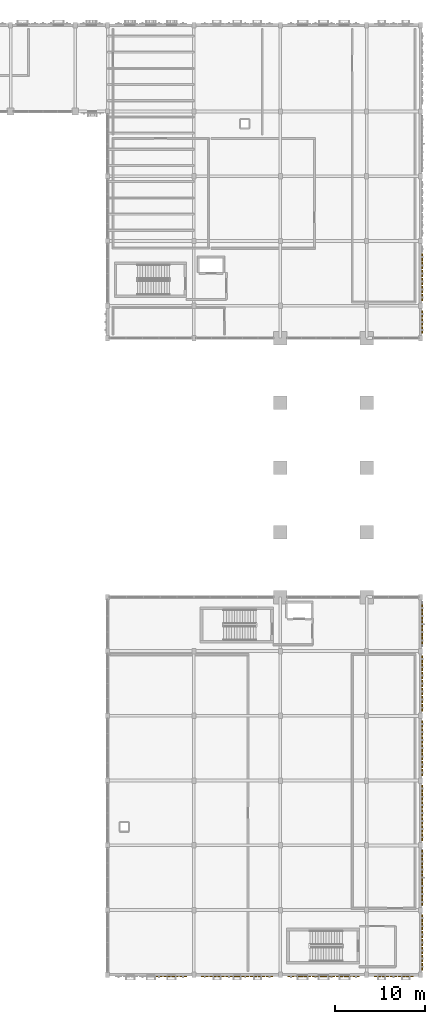
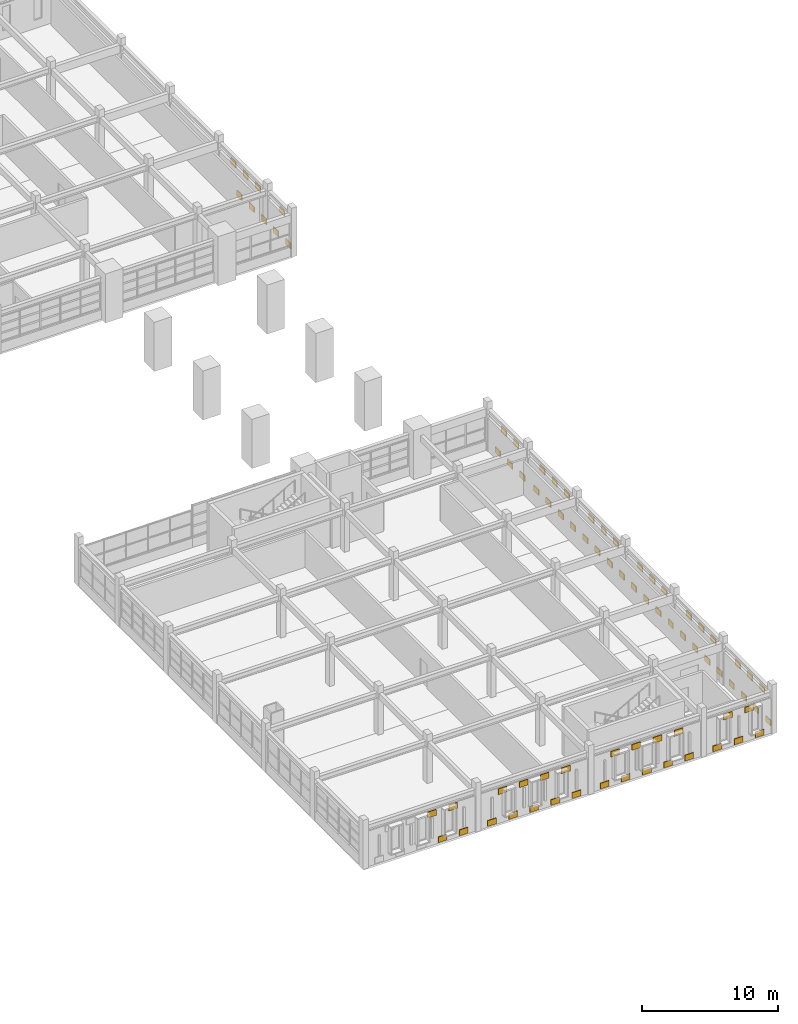
# One storey, part 68 of 69: 76 coverings.
"""IFC4 building model written with IfcOpenShell, lengths in metres."""

from ifc_helpers import new_model, si_unit, direction, frame, origin, origin_2d, place, context, subcontext, project, spatial, rectangle, extrude, material, layer, layer_set, type_object, element, save


model = new_model("IFC4")

# Units and contexts
model_context = context("Model", 3, precision=1e-05, world=origin(), true_north=direction((0.0, 1.0)))
body_context = subcontext(model_context, "Body", "Model", "MODEL_VIEW")
ifc_project = project(units=[si_unit("LENGTHUNIT", "METRE"), si_unit("AREAUNIT", "SQUARE_METRE"), si_unit("VOLUMEUNIT", "CUBIC_METRE"), si_unit("PLANEANGLEUNIT", "RADIAN"), si_unit("MASSUNIT", "GRAM", prefix="KILO")], contexts=[model_context])

# Site, building, storey
site_placement = place(None, origin())
site = spatial("IfcSite", under=ifc_project, at=site_placement, CompositionType="ELEMENT")
building_placement = place(site_placement, origin())
building = spatial("IfcBuilding", under=site, at=building_placement, Name="Nzembalo Square Collegiate School", CompositionType="ELEMENT")
storey_placement = place(building_placement, frame((0.0, 0.0, 5.10009765625)))
storey = spatial("IfcBuildingStorey", under=building, at=storey_placement, Name="L01", CompositionType="ELEMENT", Elevation=5.10009765625)

# Coverings
ifc_material = material(Name="Glazed cobalt ceramic patterned tile")
ifc_layer = layer(ifc_material, 0.074951171875, Name="Glazed cobalt ceramic patterned tile")
ifc_layer_set = layer_set([ifc_layer], Name="Glazed cobalt ceramic patterned tile")
covering_type = type_object("IfcCoveringType", Name="CL01", PredefinedType="CLADDING", material=ifc_layer_set)
for number, where, z_axis, x_axis, name in (
    (1, (165.777587890625, 9.300048828125, 0.099853515625), (0.0, 0.0, 1.0), (1.0, 0.0, 0.0), "Patterned ceramic tile CL01-Y0099-0-0"),
    (2, (165.777587890625, 10.199951171875, 2.48388671875), (0.0, 0.0, 1.0), (1.0, 0.0, 0.0), "Patterned ceramic tile CL01-Y0099-1-1"),
    (3, (165.777587890625, 11.10009765625, 0.099853515625), (0.0, 0.0, 1.0), (1.0, 0.0, 0.0), "Patterned ceramic tile CL01-Y0099-2-0"),
    (4, (165.777587890625, 12.0, 2.48388671875), (0.0, 0.0, 1.0), (1.0, 0.0, 0.0), "Patterned ceramic tile CL01-Y0099-3-1"),
    (5, (165.777587890625, 12.89990234375, 0.099853515625), (0.0, 0.0, 1.0), (1.0, 0.0, 0.0), "Patterned ceramic tile CL01-Y0099-4-0"),
    (6, (165.777587890625, 13.800048828125, 2.48388671875), (0.0, 0.0, 1.0), (1.0, 0.0, 0.0), "Patterned ceramic tile CL01-Y0099-5-1"),
    (7, (165.777587890625, 14.699951171875, 0.099853515625), (0.0, 0.0, 1.0), (1.0, 0.0, 0.0), "Patterned ceramic tile CL01-Y0099-6-0"),
    (8, (165.78759765625, 16.5, 0.099853515625), (0.0, 0.0, 1.0), (1.0, 0.0, 0.0), "Patterned ceramic tile CL01-Y0100-0-0"),
    (9, (165.78759765625, 17.39990234375, 2.48388671875), (0.0, 0.0, 1.0), (1.0, 0.0, 0.0), "Patterned ceramic tile CL01-Y0100-1-1"),
    (10, (165.78759765625, 18.300048828125, 0.099853515625), (0.0, 0.0, 1.0), (1.0, 0.0, 0.0), "Patterned ceramic tile CL01-Y0100-2-0"),
    (11, (165.78759765625, 19.199951171875, 2.48388671875), (0.0, 0.0, 1.0), (1.0, 0.0, 0.0), "Patterned ceramic tile CL01-Y0100-3-1"),
    (12, (165.78759765625, 20.10009765625, 0.099853515625), (0.0, 0.0, 1.0), (1.0, 0.0, 0.0), "Patterned ceramic tile CL01-Y0100-4-0"),
    (13, (165.78759765625, 21.0, 2.48388671875), (0.0, 0.0, 1.0), (1.0, 0.0, 0.0), "Patterned ceramic tile CL01-Y0100-5-1"),
    (14, (165.78759765625, 21.89990234375, 0.099853515625), (0.0, 0.0, 1.0), (1.0, 0.0, 0.0), "Patterned ceramic tile CL01-Y0100-6-0"),
    (15, (165.777587890625, 23.699951171875, 0.099853515625), (0.0, 0.0, 1.0), (1.0, 0.0, 0.0), "Patterned ceramic tile CL01-Y0101-0-0"),
    (16, (165.777587890625, 24.60009765625, 2.48388671875), (0.0, 0.0, 1.0), (1.0, 0.0, 0.0), "Patterned ceramic tile CL01-Y0101-1-1"),
    (17, (165.777587890625, 25.5, 0.099853515625), (0.0, 0.0, 1.0), (1.0, 0.0, 0.0), "Patterned ceramic tile CL01-Y0101-2-0"),
    (18, (165.777587890625, 26.39990234375, 2.48388671875), (0.0, 0.0, 1.0), (1.0, 0.0, 0.0), "Patterned ceramic tile CL01-Y0101-3-1"),
    (19, (165.777587890625, 27.300048828125, 0.099853515625), (0.0, 0.0, 1.0), (1.0, 0.0, 0.0), "Patterned ceramic tile CL01-Y0101-4-0"),
    (20, (165.777587890625, 28.199951171875, 2.48388671875), (0.0, 0.0, 1.0), (1.0, 0.0, 0.0), "Patterned ceramic tile CL01-Y0101-5-1"),
    (21, (165.777587890625, 29.10009765625, 0.099853515625), (0.0, 0.0, 1.0), (1.0, 0.0, 0.0), "Patterned ceramic tile CL01-Y0101-6-0"),
    (22, (165.78759765625, 30.89990234375, 0.099853515625), (0.0, 0.0, 1.0), (1.0, 0.0, 0.0), "Patterned ceramic tile CL01-Y0102-0-0"),
    (23, (165.78759765625, 31.800048828125, 2.48388671875), (0.0, 0.0, 1.0), (1.0, 0.0, 0.0), "Patterned ceramic tile CL01-Y0102-1-1"),
    (24, (165.78759765625, 32.699951171875, 0.099853515625), (0.0, 0.0, 1.0), (1.0, 0.0, 0.0), "Patterned ceramic tile CL01-Y0102-2-0"),
    (25, (165.78759765625, 33.60009765625, 2.48388671875), (0.0, 0.0, 1.0), (1.0, 0.0, 0.0), "Patterned ceramic tile CL01-Y0102-3-1"),
    (26, (165.78759765625, 34.5, 0.099853515625), (0.0, 0.0, 1.0), (1.0, 0.0, 0.0), "Patterned ceramic tile CL01-Y0102-4-0"),
    (27, (165.78759765625, 35.39990234375, 2.48388671875), (0.0, 0.0, 1.0), (1.0, 0.0, 0.0), "Patterned ceramic tile CL01-Y0102-5-1"),
    (28, (165.78759765625, 36.300048828125, 0.099853515625), (0.0, 0.0, 1.0), (1.0, 0.0, 0.0), "Patterned ceramic tile CL01-Y0102-6-0"),
    (29, (165.777587890625, 38.10009765625, 0.099853515625), (0.0, 0.0, 1.0), (1.0, 0.0, 0.0), "Patterned ceramic tile CL01-Y0103-0-0"),
    (30, (165.777587890625, 39.0, 2.48388671875), (0.0, 0.0, 1.0), (1.0, 0.0, 0.0), "Patterned ceramic tile CL01-Y0103-1-1"),
    (31, (165.777587890625, 39.89990234375, 0.099853515625), (0.0, 0.0, 1.0), (1.0, 0.0, 0.0), "Patterned ceramic tile CL01-Y0103-2-0"),
    (32, (165.777587890625, 40.800048828125, 2.48388671875), (0.0, 0.0, 1.0), (1.0, 0.0, 0.0), "Patterned ceramic tile CL01-Y0103-3-1"),
    (33, (165.777587890625, 41.699951171875, 0.099853515625), (0.0, 0.0, 1.0), (1.0, 0.0, 0.0), "Patterned ceramic tile CL01-Y0103-4-0"),
    (34, (165.777587890625, 42.60009765625, 2.48388671875), (0.0, 0.0, 1.0), (1.0, 0.0, 0.0), "Patterned ceramic tile CL01-Y0103-5-1"),
    (35, (165.777587890625, 43.5, 0.099853515625), (0.0, 0.0, 1.0), (1.0, 0.0, 0.0), "Patterned ceramic tile CL01-Y0103-6-0"),
    (36, (165.78759765625, 45.60009765625, 0.099853515625), (0.0, 0.0, 1.0), (1.0, 0.0, 0.0), "Patterned ceramic tile CL01-Y0104-0-0"),
    (37, (165.78759765625, 46.5, 2.48388671875), (0.0, 0.0, 1.0), (1.0, 0.0, 0.0), "Patterned ceramic tile CL01-Y0104-1-1"),
    (38, (165.78759765625, 47.39990234375, 0.099853515625), (0.0, 0.0, 1.0), (1.0, 0.0, 0.0), "Patterned ceramic tile CL01-Y0104-2-0"),
    (39, (165.78759765625, 48.300048828125, 2.48388671875), (0.0, 0.0, 1.0), (1.0, 0.0, 0.0), "Patterned ceramic tile CL01-Y0104-3-1"),
    (40, (165.78759765625, 49.199951171875, 0.099853515625), (0.0, 0.0, 1.0), (1.0, 0.0, 0.0), "Patterned ceramic tile CL01-Y0104-4-0"),
):
    element("IfcCovering", number, at=place(storey_placement, frame(where, z_axis=z_axis, x_axis=x_axis)), inside=storey, type_object=covering_type, Name=name, PredefinedType="CLADDING", context=body_context, shape_type="SweptSolid", body=[
        extrude(rectangle(XDim=0.074951171875, YDim=0.739990234375, at=origin_2d()), origin(), (0.0, 0.0, 1.0), 0.52001953125),
    ])
for number, where, z_axis, x_axis, name in (
    (41, (136.5, 8.222412109375, 2.643798828125), (0.0, 0.0, 1.0), (1.0, 0.0, 0.0), "Patterned ceramic tile CL01-X0105-5-1"),
    (42, (137.39990234375, 8.222412109375, 0.099853515625), (0.0, 0.0, 1.0), (1.0, 0.0, 0.0), "Patterned ceramic tile CL01-X0105-6-0"),
    (43, (138.300048828125, 8.222412109375, 2.643798828125), (0.0, 0.0, 1.0), (1.0, 0.0, 0.0), "Patterned ceramic tile CL01-X0105-7-1"),
    (44, (139.199951171875, 8.222412109375, 0.099853515625), (0.0, 0.0, 1.0), (1.0, 0.0, 0.0), "Patterned ceramic tile CL01-X0105-8-0"),
    (45, (141.60009765625, 8.21240234375, 0.099853515625), (0.0, 0.0, 1.0), (1.0, 0.0, 0.0), "Patterned ceramic tile CL01-X0106-0-0"),
    (46, (142.5, 8.21240234375, 2.643798828125), (0.0, 0.0, 1.0), (1.0, 0.0, 0.0), "Patterned ceramic tile CL01-X0106-1-1"),
    (47, (143.39990234375, 8.21240234375, 0.099853515625), (0.0, 0.0, 1.0), (1.0, 0.0, 0.0), "Patterned ceramic tile CL01-X0106-2-0"),
    (48, (144.300048828125, 8.21240234375, 2.643798828125), (0.0, 0.0, 1.0), (1.0, 0.0, 0.0), "Patterned ceramic tile CL01-X0106-3-1"),
    (49, (145.199951171875, 8.21240234375, 0.099853515625), (0.0, 0.0, 1.0), (1.0, 0.0, 0.0), "Patterned ceramic tile CL01-X0106-4-0"),
    (50, (146.10009765625, 8.21240234375, 2.643798828125), (0.0, 0.0, 1.0), (1.0, 0.0, 0.0), "Patterned ceramic tile CL01-X0106-5-1"),
    (51, (147.0, 8.21240234375, 0.099853515625), (0.0, 0.0, 1.0), (1.0, 0.0, 0.0), "Patterned ceramic tile CL01-X0106-6-0"),
    (52, (147.89990234375, 8.21240234375, 2.643798828125), (0.0, 0.0, 1.0), (1.0, 0.0, 0.0), "Patterned ceramic tile CL01-X0106-7-1"),
    (53, (148.800048828125, 8.21240234375, 0.099853515625), (0.0, 0.0, 1.0), (1.0, 0.0, 0.0), "Patterned ceramic tile CL01-X0106-8-0"),
    (54, (151.199951171875, 8.222412109375, 0.099853515625), (0.0, 0.0, 1.0), (1.0, 0.0, 0.0), "Patterned ceramic tile CL01-X0107-0-0"),
    (55, (152.10009765625, 8.222412109375, 2.643798828125), (0.0, 0.0, 1.0), (1.0, 0.0, 0.0), "Patterned ceramic tile CL01-X0107-1-1"),
    (56, (153.0, 8.222412109375, 0.099853515625), (0.0, 0.0, 1.0), (1.0, 0.0, 0.0), "Patterned ceramic tile CL01-X0107-2-0"),
    (57, (153.89990234375, 8.222412109375, 2.643798828125), (0.0, 0.0, 1.0), (1.0, 0.0, 0.0), "Patterned ceramic tile CL01-X0107-3-1"),
    (58, (154.800048828125, 8.222412109375, 0.099853515625), (0.0, 0.0, 1.0), (1.0, 0.0, 0.0), "Patterned ceramic tile CL01-X0107-4-0"),
    (59, (155.699951171875, 8.222412109375, 2.643798828125), (0.0, 0.0, 1.0), (1.0, 0.0, 0.0), "Patterned ceramic tile CL01-X0107-5-1"),
    (60, (156.60009765625, 8.222412109375, 0.099853515625), (0.0, 0.0, 1.0), (1.0, 0.0, 0.0), "Patterned ceramic tile CL01-X0107-6-0"),
    (61, (157.5, 8.222412109375, 2.643798828125), (0.0, 0.0, 1.0), (1.0, 0.0, 0.0), "Patterned ceramic tile CL01-X0107-7-1"),
    (62, (158.39990234375, 8.222412109375, 0.099853515625), (0.0, 0.0, 1.0), (1.0, 0.0, 0.0), "Patterned ceramic tile CL01-X0107-8-0"),
    (63, (160.800048828125, 8.21240234375, 0.099853515625), (0.0, 0.0, 1.0), (1.0, 0.0, 0.0), "Patterned ceramic tile CL01-X0108-0-0"),
    (64, (161.699951171875, 8.21240234375, 2.643798828125), (0.0, 0.0, 1.0), (1.0, 0.0, 0.0), "Patterned ceramic tile CL01-X0108-1-1"),
    (65, (162.60009765625, 8.21240234375, 0.099853515625), (0.0, 0.0, 1.0), (1.0, 0.0, 0.0), "Patterned ceramic tile CL01-X0108-2-0"),
    (66, (163.5, 8.21240234375, 2.643798828125), (0.0, 0.0, 1.0), (1.0, 0.0, 0.0), "Patterned ceramic tile CL01-X0108-3-1"),
    (67, (164.39990234375, 8.21240234375, 0.099853515625), (0.0, 0.0, 1.0), (1.0, 0.0, 0.0), "Patterned ceramic tile CL01-X0108-4-0"),
):
    element("IfcCovering", number, at=place(storey_placement, frame(where, z_axis=z_axis, x_axis=x_axis)), inside=storey, type_object=covering_type, Name=name, PredefinedType="CLADDING", context=body_context, shape_type="SweptSolid", body=[
        extrude(rectangle(XDim=0.739990234375, YDim=0.074951171875, at=origin_2d()), origin(), (0.0, 0.0, 1.0), 0.52001953125),
    ])
for number, where, z_axis, x_axis, name in (
    (68, (165.777587890625, 80.10009765625, 0.099853515625), (0.0, 0.0, 1.0), (1.0, 0.0, 0.0), "Patterned ceramic tile CL01-Y0137-0-0"),
    (69, (165.777587890625, 81.0, 2.48388671875), (0.0, 0.0, 1.0), (1.0, 0.0, 0.0), "Patterned ceramic tile CL01-Y0137-1-1"),
    (70, (165.777587890625, 81.89990234375, 0.099853515625), (0.0, 0.0, 1.0), (1.0, 0.0, 0.0), "Patterned ceramic tile CL01-Y0137-2-0"),
    (71, (165.78759765625, 83.699951171875, 0.099853515625), (0.0, 0.0, 1.0), (1.0, 0.0, 0.0), "Patterned ceramic tile CL01-Y0138-0-0"),
    (72, (165.78759765625, 84.60009765625, 2.48388671875), (0.0, 0.0, 1.0), (1.0, 0.0, 0.0), "Patterned ceramic tile CL01-Y0138-1-1"),
    (73, (165.78759765625, 85.5, 0.099853515625), (0.0, 0.0, 1.0), (1.0, 0.0, 0.0), "Patterned ceramic tile CL01-Y0138-2-0"),
    (74, (165.78759765625, 86.39990234375, 2.48388671875), (0.0, 0.0, 1.0), (1.0, 0.0, 0.0), "Patterned ceramic tile CL01-Y0138-3-1"),
    (75, (165.78759765625, 87.300048828125, 0.099853515625), (0.0, 0.0, 1.0), (1.0, 0.0, 0.0), "Patterned ceramic tile CL01-Y0138-4-0"),
    (76, (165.78759765625, 88.199951171875, 2.48388671875), (0.0, 0.0, 1.0), (1.0, 0.0, 0.0), "Patterned ceramic tile CL01-Y0138-5-1"),
):
    element("IfcCovering", number, at=place(storey_placement, frame(where, z_axis=z_axis, x_axis=x_axis)), inside=storey, type_object=covering_type, Name=name, PredefinedType="CLADDING", context=body_context, shape_type="SweptSolid", body=[
        extrude(rectangle(XDim=0.074951171875, YDim=0.739990234375, at=origin_2d()), origin(), (0.0, 0.0, 1.0), 0.52001953125),
    ])

save(model, "model.ifc")
